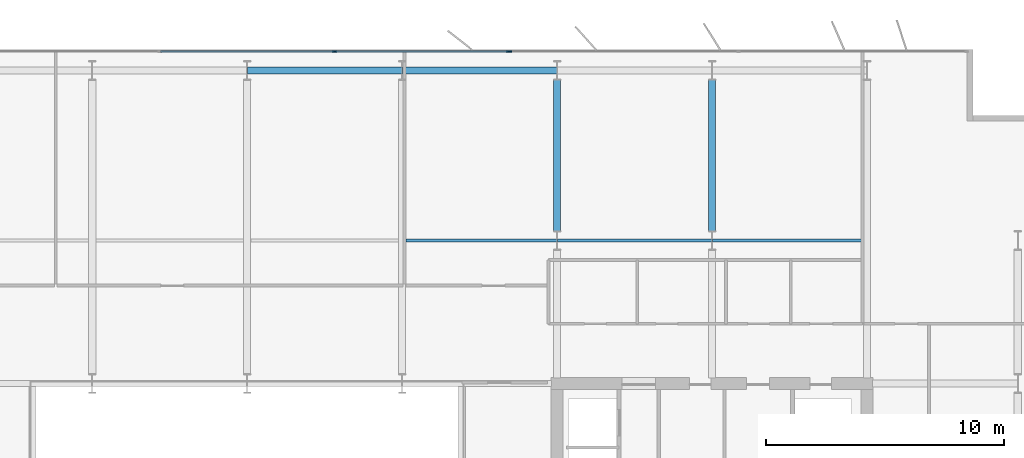
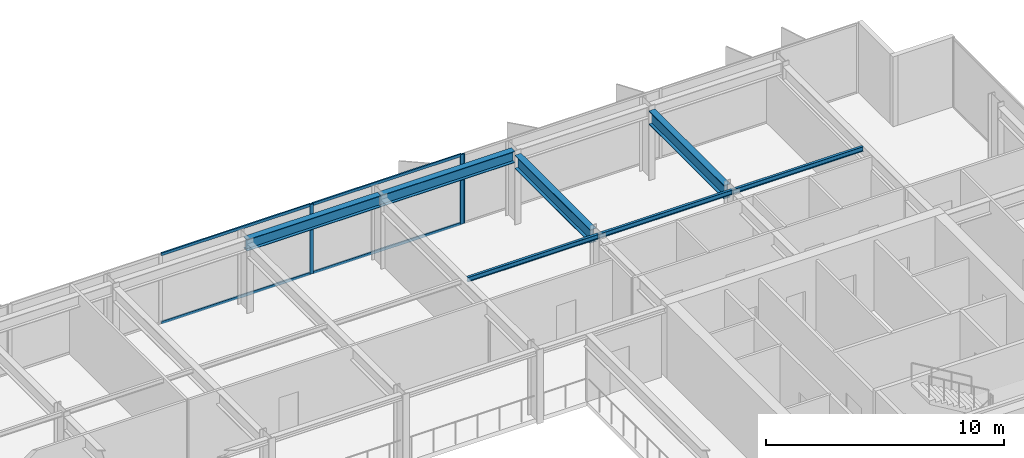
# One storey, part 12 of 23: 7 beams, 7 members, 2 elements without a shape of their own.
"""IFC4 building model written with IfcOpenShell, lengths in metres."""

from ifc_helpers import new_model, si_unit, direction, frame, origin, origin_2d, place, context, subcontext, project, spatial, rectangle, i_section, extrude, material, layer, layer_set, material_profile, profile_set, type_object, element, aggregate, save


model = new_model("IFC4")

# Units and contexts
model_context = context("Model", 3, precision=1e-05, world=origin(), true_north=direction((0.0, 1.0)))
body_context = subcontext(model_context, "Body", "Model", "MODEL_VIEW")
ifc_project = project(units=[si_unit("LENGTHUNIT", "METRE"), si_unit("AREAUNIT", "SQUARE_METRE"), si_unit("VOLUMEUNIT", "CUBIC_METRE"), si_unit("PLANEANGLEUNIT", "RADIAN"), si_unit("MASSUNIT", "GRAM", prefix="KILO")], contexts=[model_context])

# Site, building, storey
site_placement = place(None, origin())
site = spatial("IfcSite", under=ifc_project, at=site_placement, CompositionType="ELEMENT")
building_placement = place(site_placement, origin())
building = spatial("IfcBuilding", under=site, at=building_placement, Name="Putna Gate Headquarters", CompositionType="ELEMENT")
storey_placement = place(building_placement, frame((0.0, 0.0, 210.0)))
storey = spatial("IfcBuildingStorey", under=building, at=storey_placement, Name="L52", CompositionType="ELEMENT", Elevation=210.0)

# Beams
ifc_material_1 = material(Name="Steel S355J2", Category="steel")
ifc_material_profile_1 = material_profile(ifc_material_1, i_section(OverallWidth=0.300048828125, OverallDepth=0.699951171875, WebThickness=0.01708984375, FlangeThickness=0.031982421875, at=origin_2d()), Name="Steel S355J2")
ifc_profile_set_1 = profile_set([ifc_material_profile_1], Name="Steel S355J2")
beam_type_1 = type_object("IfcBeamType", Name="BM-GIRD-B-HEB700", PredefinedType="USERDEFINED", material=ifc_profile_set_1)
for number, where, z_axis, x_axis, name in (
    (1, (52.0, 39.39501953125, 3.22998046875), (0.0, 1.0, 0.0), (-1.0, 0.0, 0.0), "L52 North Primary Girder X52-2"),
    (2, (58.5, 39.39501953125, 3.22998046875), (0.0, 1.0, 0.0), (-1.0, 0.0, 0.0), "L52 North Primary Girder X58-2"),
):
    element("IfcBeam", number, at=place(storey_placement, frame(where, z_axis=z_axis, x_axis=x_axis)), inside=storey, type_object=beam_type_1, Name=name, ObjectType="GIRDER", PredefinedType="USERDEFINED", context=body_context, shape_type="SweptSolid", body=[
        extrude(i_section(OverallWidth=0.300048828125, OverallDepth=0.699951171875, WebThickness=0.01708984375, FlangeThickness=0.031982421875, at=origin_2d()), origin(), (0.0, 0.0, 1.0), 6.330078125),
    ])
ifc_material_profile_2 = material_profile(ifc_material_1, i_section(OverallWidth=0.1201171875, OverallDepth=0.239990234375, WebThickness=0.006103515625, FlangeThickness=0.009765625, at=origin_2d()), Name="Steel S355J2")
ifc_profile_set_2 = profile_set([ifc_material_profile_2], Name="Steel S355J2")
beam_type_2 = type_object("IfcBeamType", Name="BM-SEC-Z4-IPE240", PredefinedType="JOIST", material=ifc_profile_set_2)
beam_1_placement = place(storey_placement, frame((45.654052734375, 39.0, 3.4599609375), z_axis=(1.0, 0.0, 0.0), x_axis=(0.0, 1.0, 0.0)))
element("IfcBeam", 3, at=beam_1_placement, inside=storey, type_object=beam_type_2, Name="L52 North Secondary Beam 6", PredefinedType="JOIST", context=body_context, shape_type="SweptSolid", body=[
    extrude(i_section(OverallWidth=0.1201171875, OverallDepth=0.239990234375, WebThickness=0.006103515625, FlangeThickness=0.009765625, at=origin_2d()), origin(), (0.0, 0.0, 1.0), 6.33984375),
])
beam_2_placement = place(storey_placement, frame((52.006103515625, 39.0, 3.4599609375), z_axis=(1.0, 0.0, 0.0), x_axis=(0.0, 1.0, 0.0)))
element("IfcBeam", 4, at=beam_2_placement, inside=storey, type_object=beam_type_2, Name="L52 North Secondary Beam 7", PredefinedType="JOIST", context=body_context, shape_type="SweptSolid", body=[
    extrude(i_section(OverallWidth=0.1201171875, OverallDepth=0.239990234375, WebThickness=0.006103515625, FlangeThickness=0.009765625, at=origin_2d()), origin(), (0.0, 0.0, 1.0), 6.48779296875),
])
beam_3_placement = place(storey_placement, frame((58.506103515625, 39.0, 3.4599609375), z_axis=(1.0, 0.0, 0.0), x_axis=(0.0, 1.0, 0.0)))
element("IfcBeam", 5, at=beam_3_placement, inside=storey, type_object=beam_type_2, Name="L52 North Secondary Beam 8", PredefinedType="JOIST", context=body_context, shape_type="SweptSolid", body=[
    extrude(i_section(OverallWidth=0.1201171875, OverallDepth=0.239990234375, WebThickness=0.006103515625, FlangeThickness=0.009765625, at=origin_2d()), origin(), (0.0, 0.0, 1.0), 6.33984375),
])
ifc_material_profile_3 = material_profile(ifc_material_1, i_section(OverallWidth=0.300048828125, OverallDepth=0.590087890625, WebThickness=0.012939453125, FlangeThickness=0.02490234375, at=origin_2d()), Name="Steel S355J2")
ifc_profile_set_3 = profile_set([ifc_material_profile_3], Name="Steel S355J2")
beam_type_3 = type_object("IfcBeamType", Name="BM-SPAN-Z4-HEA600", PredefinedType="SPANDREL", material=ifc_profile_set_3)
for number, where, z_axis, x_axis, name in (
    (6, (39.006103515625, 46.1201171875, 3.284912109375), (1.0, 0.0, 0.0), (0.0, 1.0, 0.0), "L52 N Perimeter Spandrel 5"),
    (7, (45.506103515625, 46.1201171875, 3.284912109375), (1.0, 0.0, 0.0), (0.0, 1.0, 0.0), "L52 N Perimeter Spandrel 6"),
):
    element("IfcBeam", number, at=place(storey_placement, frame(where, z_axis=z_axis, x_axis=x_axis)), inside=storey, type_object=beam_type_3, Name=name, PredefinedType="SPANDREL", context=body_context, shape_type="SweptSolid", body=[
        extrude(i_section(OverallWidth=0.300048828125, OverallDepth=0.590087890625, WebThickness=0.012939453125, FlangeThickness=0.02490234375, at=origin_2d()), origin(), (0.0, 0.0, 1.0), 6.48779296875),
    ])

# Curtain wall, member
ifc_material_2 = material(Name="Anodised bronze aluminium curtain wall", Category="aluminium")
ifc_layer_1 = layer(ifc_material_2, 0.139892578125)
ifc_layer_set_1 = layer_set([ifc_layer_1], Name="Anodised bronze aluminium curtain wall")
curtain_wall_type_1 = type_object("IfcCurtainWallType", Name="CW-SYS-Z4", PredefinedType="USERDEFINED", material=ifc_layer_set_1)
curtain_wall_1_placement = place(storey_placement, origin())
curtain_wall_1 = element("IfcCurtainWall", 8, at=curtain_wall_1_placement, inside=storey, type_object=curtain_wall_type_1, Name="L52 North East Curtain Wall", ObjectType="STICK CURTAIN WALL", PredefinedType="USERDEFINED")
ifc_material_3 = material(Name="Anodised bronze aluminium EN AW-6060", Category="aluminium")
ifc_material_profile_4 = material_profile(ifc_material_3, rectangle(XDim=0.06005859375, YDim=0.139892578125, at=origin_2d()), Name="Anodised bronze aluminium EN AW-6060")
ifc_profile_set_4 = profile_set([ifc_material_profile_4], Name="Anodised bronze aluminium EN AW-6060")
member_type_1 = type_object("IfcMemberType", Name="MULL-CWM-4", PredefinedType="MULLION", material=ifc_profile_set_4)
member_1_placement = place(storey_placement, frame((50.030029296875, 46.919921875, 0.0), z_axis=(0.0, 0.0, 1.0), x_axis=(0.0, 1.0, 0.0)))
member_1 = element("IfcMember", 9, at=member_1_placement, type_object=member_type_1, Name="CWS-4 mullion 1", PredefinedType="MULLION", context=body_context, shape_type="SweptSolid", body=[
    extrude(rectangle(XDim=0.06005859375, YDim=0.139892578125, at=origin_2d()), origin(), (0.0, 0.0, 1.0), 3.580078125),
])
aggregate(curtain_wall_1, [member_1])

# Curtain wall, members
ifc_layer_2 = layer(ifc_material_2, 0.179931640625)
ifc_layer_set_2 = layer_set([ifc_layer_2], Name="Anodised bronze aluminium curtain wall")
curtain_wall_type_2 = type_object("IfcCurtainWallType", Name="CW-SYS-ATR", PredefinedType="USERDEFINED", material=ifc_layer_set_2)
curtain_wall_2_placement = place(storey_placement, origin())
curtain_wall_2 = element("IfcCurtainWall", 10, at=curtain_wall_2_placement, inside=storey, type_object=curtain_wall_type_2, Name="L52 North Atrium Clear Glazing", ObjectType="ATRIUM GLAZING", PredefinedType="USERDEFINED")
ifc_material_profile_5 = material_profile(ifc_material_3, rectangle(XDim=0.070068359375, YDim=0.179931640625, at=origin_2d()), Name="Anodised bronze aluminium EN AW-6060")
ifc_profile_set_5 = profile_set([ifc_material_profile_5], Name="Anodised bronze aluminium EN AW-6060")
member_type_2 = type_object("IfcMemberType", Name="MULL-CWM-AT", PredefinedType="MULLION", material=ifc_profile_set_5)
member_2_placement = place(storey_placement, frame((42.666748046875, 46.919921875, 0.0), z_axis=(0.0, 0.0, 1.0), x_axis=(0.0, 1.0, 0.0)))
member_2 = element("IfcMember", 11, at=member_2_placement, type_object=member_type_2, Name="CWS-AT mullion 3", PredefinedType="MULLION", context=body_context, shape_type="SweptSolid", body=[
    extrude(rectangle(XDim=0.070068359375, YDim=0.179931640625, at=origin_2d()), origin(), (0.0, 0.0, 1.0), 3.580078125),
])
member_3_placement = place(storey_placement, frame((49.965087890625, 46.919921875, 0.0), z_axis=(0.0, 0.0, 1.0), x_axis=(0.0, 1.0, 0.0)))
member_3 = element("IfcMember", 12, at=member_3_placement, type_object=member_type_2, Name="CWS-AT mullion 4", PredefinedType="MULLION", context=body_context, shape_type="SweptSolid", body=[
    extrude(rectangle(XDim=0.070068359375, YDim=0.179931640625, at=origin_2d()), origin(), (0.0, 0.0, 1.0), 3.580078125),
])
ifc_material_profile_6 = material_profile(ifc_material_3, rectangle(XDim=0.070068359375, YDim=0.139892578125, at=origin_2d()), Name="Anodised bronze aluminium EN AW-6060")
ifc_profile_set_6 = profile_set([ifc_material_profile_6], Name="Anodised bronze aluminium EN AW-6060")
member_type_3 = type_object("IfcMemberType", Name="TRAN-CWT-AT", PredefinedType="USERDEFINED", material=ifc_profile_set_6)
member_4_placement = place(storey_placement, frame((35.368408203125, 46.919921875, 0.034912109375), z_axis=(1.0, 0.0, 0.0), x_axis=(0.0, 1.0, 0.0)))
member_4 = element("IfcMember", 13, at=member_4_placement, type_object=member_type_3, Name="CWS-AT transom 2.1", ObjectType="TRANSOM", PredefinedType="USERDEFINED", context=body_context, shape_type="SweptSolid", body=[
    extrude(rectangle(XDim=0.070068359375, YDim=0.139892578125, at=origin_2d()), origin(), (0.0, 0.0, 1.0), 7.26318359375),
])
member_5_placement = place(storey_placement, frame((35.368408203125, 46.919921875, 3.544921875), z_axis=(1.0, 0.0, 0.0), x_axis=(0.0, 1.0, 0.0)))
member_5 = element("IfcMember", 14, at=member_5_placement, type_object=member_type_3, Name="CWS-AT transom 2.2", ObjectType="TRANSOM", PredefinedType="USERDEFINED", context=body_context, shape_type="SweptSolid", body=[
    extrude(rectangle(XDim=0.070068359375, YDim=0.139892578125, at=origin_2d()), origin(), (0.0, 0.0, 1.0), 7.26318359375),
])
member_6_placement = place(storey_placement, frame((42.70166015625, 46.919921875, 0.034912109375), z_axis=(1.0, 0.0, 0.0), x_axis=(0.0, 1.0, 0.0)))
member_6 = element("IfcMember", 15, at=member_6_placement, type_object=member_type_3, Name="CWS-AT transom 3.1", ObjectType="TRANSOM", PredefinedType="USERDEFINED", context=body_context, shape_type="SweptSolid", body=[
    extrude(rectangle(XDim=0.070068359375, YDim=0.139892578125, at=origin_2d()), origin(), (0.0, 0.0, 1.0), 7.228271484375),
])
member_7_placement = place(storey_placement, frame((42.70166015625, 46.919921875, 3.544921875), z_axis=(1.0, 0.0, 0.0), x_axis=(0.0, 1.0, 0.0)))
member_7 = element("IfcMember", 16, at=member_7_placement, type_object=member_type_3, Name="CWS-AT transom 3.2", ObjectType="TRANSOM", PredefinedType="USERDEFINED", context=body_context, shape_type="SweptSolid", body=[
    extrude(rectangle(XDim=0.070068359375, YDim=0.139892578125, at=origin_2d()), origin(), (0.0, 0.0, 1.0), 7.228271484375),
])
aggregate(curtain_wall_2, [member_2, member_3, member_4, member_5, member_6, member_7])

save(model, "model.ifc")
